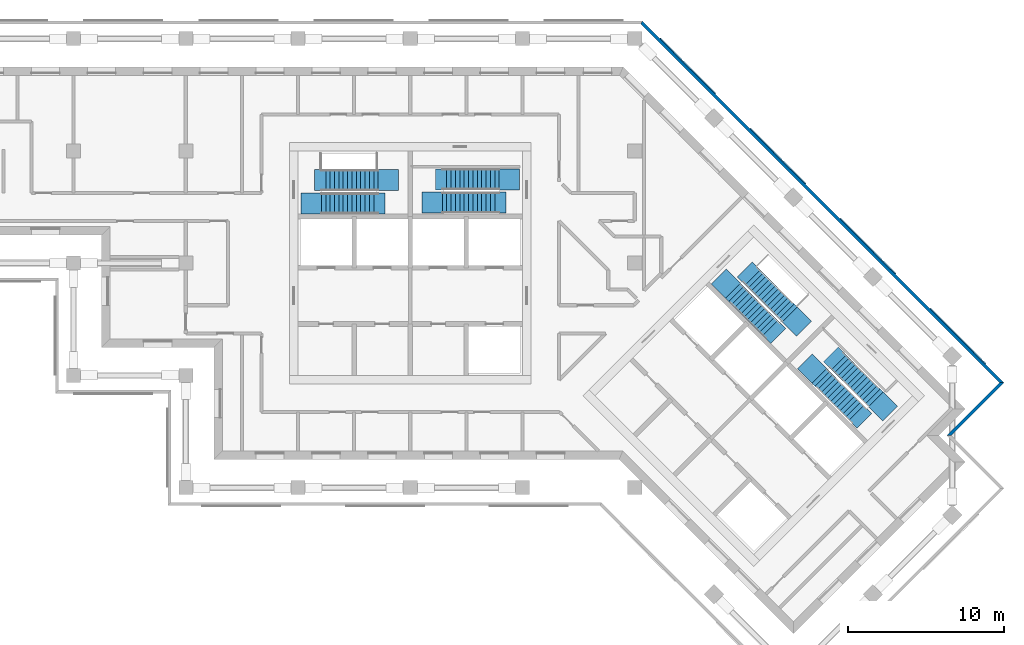
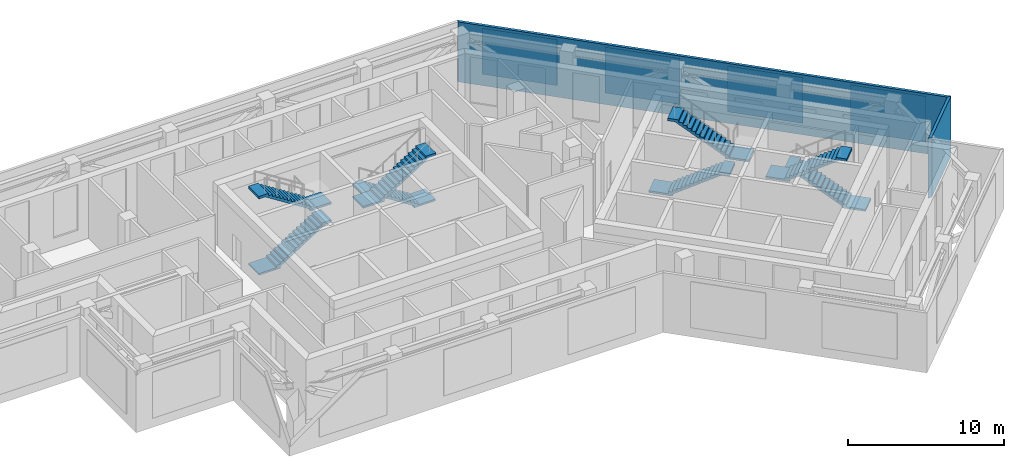
# One storey, part 8 of 10: 8 stair flights, 4 plates, 2 walls, 4 elements without a shape of their own.
"""IFC4 building model written with IfcOpenShell, lengths in metres."""

from ifc_helpers import new_model, si_unit, direction, frame, origin, place, context, subcontext, project, spatial, polyline, outline, extrude, material, layer, layer_set, type_object, element, aggregate, save


model = new_model("IFC4")

# Units and contexts
model_context = context("Model", 3, precision=1e-05, world=origin(), true_north=direction((0.0, 1.0)))
body_context = subcontext(model_context, "Body", "Model", "MODEL_VIEW")
ifc_project = project(units=[si_unit("LENGTHUNIT", "METRE"), si_unit("AREAUNIT", "SQUARE_METRE"), si_unit("VOLUMEUNIT", "CUBIC_METRE"), si_unit("PLANEANGLEUNIT", "RADIAN"), si_unit("MASSUNIT", "GRAM", prefix="KILO")], contexts=[model_context])

# Plate
ifc_material_1 = material(Name="Aluminium louvre", Category="aluminium")
ifc_layer_1 = layer(ifc_material_1, 0.05)
ifc_layer_set_1 = layer_set([ifc_layer_1], Name="Belt louvre panel 5000x3600")
plate_type = type_object("IfcPlateType", Name="Belt louvre panel 5000x3600", PredefinedType="SHEET", material=ifc_layer_set_1)
site_placement = place(None, origin())
building_placement = place(site_placement, origin())
storey_placement = place(building_placement, frame((0.0, 0.0, 180.4)))
plate_1_placement = place(storey_placement, frame((101.7315, 51.1655, 0.75), z_axis=(0.7071167811, 0.7070967812, 0.0), x_axis=(-0.7070967812, 0.7071167811, 0.0)))
plate_1 = element("IfcPlate", 1, at=plate_1_placement, type_object=plate_type, Name="Belt louvre panel L49 10.1", PredefinedType="SHEET", context=body_context, shape_type="SweptSolid", body=[
    extrude(outline(polyline([(0.0, 0.0), (5.0, 0.0), (5.0, 3.6), (0.0, 3.6), (0.0, 0.0)])), origin(), (0.0, 0.0, -1.0), 0.05),
])

plate_2_placement = place(storey_placement, frame((95.9536, 56.9434, 0.75), z_axis=(0.7071167811, 0.7070967812, 0.0), x_axis=(-0.7070967812, 0.7071167811, 0.0)))
plate_2 = element("IfcPlate", 2, at=plate_2_placement, type_object=plate_type, Name="Belt louvre panel L49 11.2", PredefinedType="SHEET", context=body_context, shape_type="SweptSolid", body=[
    extrude(outline(polyline([(0.0, 0.0), (5.0, 0.0), (5.0, 3.6), (0.0, 3.6), (0.0, 0.0)])), origin(), (0.0, 0.0, -1.0), 0.05),
])

plate_3_placement = place(storey_placement, frame((90.1756, 62.7214, 0.75), z_axis=(0.7071067812, 0.7071067812, 0.0), x_axis=(-0.7071067812, 0.7071067812, 0.0)))
plate_3 = element("IfcPlate", 3, at=plate_3_placement, type_object=plate_type, Name="Belt louvre panel L49 12.3", PredefinedType="SHEET", context=body_context, shape_type="SweptSolid", body=[
    extrude(outline(polyline([(0.0, 0.0), (5.0, 0.0), (5.0, 3.6), (0.0, 3.6), (0.0, 0.0)])), origin(), (0.0, 0.0, -1.0), 0.05),
])

plate_4_placement = place(storey_placement, frame((84.3977, 68.4993, 0.75), z_axis=(0.7071167811, 0.7070967812, 0.0), x_axis=(-0.7070967812, 0.7071167811, 0.0)))
plate_4 = element("IfcPlate", 4, at=plate_4_placement, type_object=plate_type, Name="Belt louvre panel L49 13.4", PredefinedType="SHEET", context=body_context, shape_type="SweptSolid", body=[
    extrude(outline(polyline([(0.0, 0.0), (5.0, 0.0), (5.0, 3.6), (0.0, 3.6), (0.0, 0.0)])), origin(), (0.0, 0.0, -1.0), 0.05),
])

# Site, building, storey
site = spatial("IfcSite", under=ifc_project, at=site_placement, CompositionType="ELEMENT")
building = spatial("IfcBuilding", under=site, at=building_placement, Name="Windrow Commons", CompositionType="ELEMENT")
storey = spatial("IfcBuildingStorey", under=building, at=storey_placement, Name="L49", CompositionType="ELEMENT", Elevation=180.4)

# Wall
ifc_material_2 = material(Name="Concrete C40/50 precast screen panel", Category="concrete")
ifc_layer_2 = layer(ifc_material_2, 0.2)
ifc_layer_set_2 = layer_set([ifc_layer_2], Name="Belt screen wall 200")
wall_type = type_object("IfcWallType", Name="Belt screen wall 200", PredefinedType="SOLIDWALL", material=ifc_layer_set_2)
wall_1_placement = place(storey_placement, frame((99.3525, 46.5442, 0.0), z_axis=(0.0, 0.0, 1.0), x_axis=(0.7071171977, 0.7070963646, 0.0)))
element("IfcWall", 5, at=wall_1_placement, inside=storey, type_object=wall_type, Name="Belt screen wall L49 4", PredefinedType="SOLIDWALL", context=body_context, shape_type="SweptSolid", body=[
    extrude(outline(polyline([(0.1, -0.1), (4.9, -0.1), (4.7, 0.1), (-0.1, 0.1), (0.1, -0.1)])), origin(), (0.0, 0.0, 1.0), 4.7),
])

wall_2_placement = place(storey_placement, frame((102.7467, 49.9383, 0.0), z_axis=(0.0, 0.0, 1.0), x_axis=(-0.7071083109, 0.7071052514, 0.0)))
wall_2 = element("IfcWall", 6, at=wall_2_placement, inside=storey, type_object=wall_type, Name="Belt screen wall L49 10", PredefinedType="SOLIDWALL", context=body_context, shape_type="SweptSolid", body=[
    extrude(outline(polyline([(-0.1, -0.1), (32.7263, -0.1), (32.6435, 0.1), (0.1, 0.1), (-0.1, -0.1)])), origin(), (0.0, 0.0, 1.0), 4.7),
])

aggregate(wall_2, [plate_1, plate_2, plate_3, plate_4])

# Stair, stair flights
ifc_material_3 = material(Name="Concrete C40/50", Category="concrete")
stair_type = type_object("IfcStairType", Name="Core stair", PredefinedType="HALF_TURN_STAIR", material=ifc_material_3)
placement = place(storey_placement, origin())
stair_1 = element("IfcStair", 7, at=placement, inside=storey, type_object=stair_type, Name="L49 Exit stair A1 core A", PredefinedType="HALF_TURN_STAIR")
ifc_material_4 = material(Name="Concrete C40/50", Category="concrete")
stair_flight_type = type_object("IfcStairFlightType", Name="Core stair flight", PredefinedType="STRAIGHT", material=ifc_material_4)
stair_flight_1_placement = place(storey_placement, frame((59.1, 61.425, 0.0), z_axis=(0.0, 0.0, 1.0), x_axis=(1.0, 0.0, 0.0)))
stair_flight_1 = element("IfcStairFlight", 8, at=stair_flight_1_placement, type_object=stair_flight_type, Name="ST-A1 flight 1", NumberOfRisers=14, NumberOfTreads=13, PredefinedType="STRAIGHT", RiserHeight=0.178571429, TreadLength=0.28, context=body_context, shape_type="SweptSolid", body=[
    extrude(outline(polyline([(-1.3, -0.15), (-1.3, 0.0), (0.0, 0.0), (0.0, 0.1786), (0.28, 0.1786), (0.28, 0.3571), (0.56, 0.3571), (0.56, 0.5357), (0.84, 0.5357), (0.84, 0.7143), (1.12, 0.7143), (1.12, 0.8929), (1.4, 0.8929), (1.4, 1.0714), (1.68, 1.0714), (1.68, 1.25), (1.96, 1.25), (1.96, 1.4286), (2.24, 1.4286), (2.24, 1.6071), (2.52, 1.6071), (2.52, 1.7857), (2.8, 1.7857), (2.8, 1.9643), (3.08, 1.9643), (3.08, 2.1429), (3.36, 2.1429), (3.36, 2.3214), (3.64, 2.3214), (4.09, 2.3214), (4.09, 2.1214), (3.64, 2.1214), (3.64, 2.1435), (0.279, 0.0), (0.279, -0.15), (-1.3, -0.15)])), frame((0.0, 0.675, 0.0), z_axis=(0.0, -1.0, 0.0), x_axis=(1.0, 0.0, 0.0)), (0.0, 0.0, 1.0), 1.35),
])
stair_flight_2_placement = place(storey_placement, frame((62.74, 62.925, 2.5), z_axis=(0.0, 0.0, 1.0), x_axis=(-1.0, 0.0, 0.0)))
stair_flight_2 = element("IfcStairFlight", 9, at=stair_flight_2_placement, type_object=stair_flight_type, Name="ST-A1 flight 2", NumberOfRisers=14, NumberOfTreads=13, PredefinedType="STRAIGHT", RiserHeight=0.178571429, TreadLength=0.28, context=body_context, shape_type="SweptSolid", body=[
    extrude(outline(polyline([(-1.3, -0.15), (-1.3, 0.0), (0.0, 0.0), (0.0, 0.1786), (0.28, 0.1786), (0.28, 0.3571), (0.56, 0.3571), (0.56, 0.5357), (0.84, 0.5357), (0.84, 0.7143), (1.12, 0.7143), (1.12, 0.8929), (1.4, 0.8929), (1.4, 1.0714), (1.68, 1.0714), (1.68, 1.25), (1.96, 1.25), (1.96, 1.4286), (2.24, 1.4286), (2.24, 1.6071), (2.52, 1.6071), (2.52, 1.7857), (2.8, 1.7857), (2.8, 1.9643), (3.08, 1.9643), (3.08, 2.1429), (3.36, 2.1429), (3.36, 2.3214), (3.64, 2.3214), (4.09, 2.3214), (4.09, 2.1214), (3.64, 2.1214), (3.64, 2.1435), (0.279, 0.0), (0.279, -0.15), (-1.3, -0.15)])), frame((0.0, 0.675, 0.0), z_axis=(0.0, -1.0, 0.0), x_axis=(1.0, 0.0, 0.0)), (0.0, 0.0, 1.0), 1.35),
])
aggregate(stair_1, [stair_flight_1, stair_flight_2])

stair_2 = element("IfcStair", 10, at=placement, inside=storey, type_object=stair_type, Name="L49 Exit stair A2 core A", PredefinedType="HALF_TURN_STAIR")
stair_flight_3_placement = place(storey_placement, frame((70.5, 62.98, 0.0), z_axis=(0.0, 0.0, 1.0), x_axis=(-1.0, 0.0, 0.0)))
stair_flight_3 = element("IfcStairFlight", 11, at=stair_flight_3_placement, type_object=stair_flight_type, Name="ST-A2 flight 1", NumberOfRisers=14, NumberOfTreads=13, PredefinedType="STRAIGHT", RiserHeight=0.178571429, TreadLength=0.28, context=body_context, shape_type="SweptSolid", body=[
    extrude(outline(polyline([(-1.3, -0.15), (-1.3, 0.0), (0.0, 0.0), (0.0, 0.1786), (0.28, 0.1786), (0.28, 0.3571), (0.56, 0.3571), (0.56, 0.5357), (0.84, 0.5357), (0.84, 0.7143), (1.12, 0.7143), (1.12, 0.8929), (1.4, 0.8929), (1.4, 1.0714), (1.68, 1.0714), (1.68, 1.25), (1.96, 1.25), (1.96, 1.4286), (2.24, 1.4286), (2.24, 1.6071), (2.52, 1.6071), (2.52, 1.7857), (2.8, 1.7857), (2.8, 1.9643), (3.08, 1.9643), (3.08, 2.1429), (3.36, 2.1429), (3.36, 2.3214), (3.64, 2.3214), (4.09, 2.3214), (4.09, 2.1214), (3.64, 2.1214), (3.64, 2.1435), (0.279, 0.0), (0.279, -0.15), (-1.3, -0.15)])), frame((0.0, 0.675, 0.0), z_axis=(0.0, -1.0, 0.0), x_axis=(1.0, 0.0, 0.0)), (0.0, 0.0, 1.0), 1.35),
])
stair_flight_4_placement = place(storey_placement, frame((66.86, 61.48, 2.5), z_axis=(0.0, 0.0, 1.0), x_axis=(1.0, 0.0, 0.0)))
stair_flight_4 = element("IfcStairFlight", 12, at=stair_flight_4_placement, type_object=stair_flight_type, Name="ST-A2 flight 2", NumberOfRisers=14, NumberOfTreads=13, PredefinedType="STRAIGHT", RiserHeight=0.178571429, TreadLength=0.28, context=body_context, shape_type="SweptSolid", body=[
    extrude(outline(polyline([(-1.3, -0.15), (-1.3, 0.0), (0.0, 0.0), (0.0, 0.1786), (0.28, 0.1786), (0.28, 0.3571), (0.56, 0.3571), (0.56, 0.5357), (0.84, 0.5357), (0.84, 0.7143), (1.12, 0.7143), (1.12, 0.8929), (1.4, 0.8929), (1.4, 1.0714), (1.68, 1.0714), (1.68, 1.25), (1.96, 1.25), (1.96, 1.4286), (2.24, 1.4286), (2.24, 1.6071), (2.52, 1.6071), (2.52, 1.7857), (2.8, 1.7857), (2.8, 1.9643), (3.08, 1.9643), (3.08, 2.1429), (3.36, 2.1429), (3.36, 2.3214), (3.64, 2.3214), (4.09, 2.3214), (4.09, 2.1214), (3.64, 2.1214), (3.64, 2.1435), (0.279, 0.0), (0.279, -0.15), (-1.3, -0.15)])), frame((0.0, 0.675, 0.0), z_axis=(0.0, -1.0, 0.0), x_axis=(1.0, 0.0, 0.0)), (0.0, 0.0, 1.0), 1.35),
])
aggregate(stair_2, [stair_flight_3, stair_flight_4])

stair_3 = element("IfcStair", 13, at=placement, inside=storey, type_object=stair_type, Name="L49 Exit stair B1 core B", PredefinedType="HALF_TURN_STAIR")
stair_flight_5_placement = place(storey_placement, frame((85.5109, 55.8249, 0.0), z_axis=(0.0, 0.0, 1.0), x_axis=(0.7071067812, -0.7071067812, 0.0)))
stair_flight_5 = element("IfcStairFlight", 14, at=stair_flight_5_placement, type_object=stair_flight_type, Name="ST-B1 flight 1", NumberOfRisers=14, NumberOfTreads=13, PredefinedType="STRAIGHT", RiserHeight=0.178571429, TreadLength=0.28, context=body_context, shape_type="SweptSolid", body=[
    extrude(outline(polyline([(-1.3, -0.15), (-1.3, 0.0), (0.0, 0.0), (0.0, 0.1786), (0.28, 0.1786), (0.28, 0.3571), (0.56, 0.3571), (0.56, 0.5357), (0.84, 0.5357), (0.84, 0.7143), (1.12, 0.7143), (1.12, 0.8929), (1.4, 0.8929), (1.4, 1.0714), (1.68, 1.0714), (1.68, 1.25), (1.96, 1.25), (1.96, 1.4286), (2.24, 1.4286), (2.24, 1.6071), (2.52, 1.6071), (2.52, 1.7857), (2.8, 1.7857), (2.8, 1.9643), (3.08, 1.9643), (3.08, 2.1429), (3.36, 2.1429), (3.36, 2.3214), (3.64, 2.3214), (4.09, 2.3214), (4.09, 2.1214), (3.64, 2.1214), (3.64, 2.1435), (0.279, 0.0), (0.279, -0.15), (-1.3, -0.15)])), frame((0.0, 0.675, 0.0), z_axis=(0.0, -1.0, 0.0), x_axis=(1.0, 0.0, 0.0)), (0.0, 0.0, 1.0), 1.35),
])
stair_flight_6_placement = place(storey_placement, frame((89.1455, 54.3117, 2.5), z_axis=(0.0, 0.0, 1.0), x_axis=(-0.7071067812, 0.7071067812, 0.0)))
stair_flight_6 = element("IfcStairFlight", 15, at=stair_flight_6_placement, type_object=stair_flight_type, Name="ST-B1 flight 2", NumberOfRisers=14, NumberOfTreads=13, PredefinedType="STRAIGHT", RiserHeight=0.178571429, TreadLength=0.28, context=body_context, shape_type="SweptSolid", body=[
    extrude(outline(polyline([(-1.3, -0.15), (-1.3, 0.0), (0.0, 0.0), (0.0, 0.1786), (0.28, 0.1786), (0.28, 0.3571), (0.56, 0.3571), (0.56, 0.5357), (0.84, 0.5357), (0.84, 0.7143), (1.12, 0.7143), (1.12, 0.8929), (1.4, 0.8929), (1.4, 1.0714), (1.68, 1.0714), (1.68, 1.25), (1.96, 1.25), (1.96, 1.4286), (2.24, 1.4286), (2.24, 1.6071), (2.52, 1.6071), (2.52, 1.7857), (2.8, 1.7857), (2.8, 1.9643), (3.08, 1.9643), (3.08, 2.1429), (3.36, 2.1429), (3.36, 2.3214), (3.64, 2.3214), (4.09, 2.3214), (4.09, 2.1214), (3.64, 2.1214), (3.64, 2.1435), (0.279, 0.0), (0.279, -0.15), (-1.3, -0.15)])), frame((0.0, 0.675, 0.0), z_axis=(0.0, -1.0, 0.0), x_axis=(1.0, 0.0, 0.0)), (0.0, 0.0, 1.0), 1.35),
])
aggregate(stair_3, [stair_flight_5, stair_flight_6])

stair_4 = element("IfcStair", 16, at=placement, inside=storey, type_object=stair_type, Name="L49 Exit stair B2 core B", PredefinedType="HALF_TURN_STAIR")
stair_flight_7_placement = place(storey_placement, frame((94.6715, 48.8635, 0.0), z_axis=(0.0, 0.0, 1.0), x_axis=(-0.7071067812, 0.7071067812, 0.0)))
stair_flight_7 = element("IfcStairFlight", 17, at=stair_flight_7_placement, type_object=stair_flight_type, Name="ST-B2 flight 1", NumberOfRisers=14, NumberOfTreads=13, PredefinedType="STRAIGHT", RiserHeight=0.178571429, TreadLength=0.28, context=body_context, shape_type="SweptSolid", body=[
    extrude(outline(polyline([(-1.3, -0.15), (-1.3, 0.0), (0.0, 0.0), (0.0, 0.1786), (0.28, 0.1786), (0.28, 0.3571), (0.56, 0.3571), (0.56, 0.5357), (0.84, 0.5357), (0.84, 0.7143), (1.12, 0.7143), (1.12, 0.8929), (1.4, 0.8929), (1.4, 1.0714), (1.68, 1.0714), (1.68, 1.25), (1.96, 1.25), (1.96, 1.4286), (2.24, 1.4286), (2.24, 1.6071), (2.52, 1.6071), (2.52, 1.7857), (2.8, 1.7857), (2.8, 1.9643), (3.08, 1.9643), (3.08, 2.1429), (3.36, 2.1429), (3.36, 2.3214), (3.64, 2.3214), (4.09, 2.3214), (4.09, 2.1214), (3.64, 2.1214), (3.64, 2.1435), (0.279, 0.0), (0.279, -0.15), (-1.3, -0.15)])), frame((0.0, 0.675, 0.0), z_axis=(0.0, -1.0, 0.0), x_axis=(1.0, 0.0, 0.0)), (0.0, 0.0, 1.0), 1.35),
])
stair_flight_8_placement = place(storey_placement, frame((91.037, 50.3767, 2.5), z_axis=(0.0, 0.0, 1.0), x_axis=(0.7071067812, -0.7071067812, 0.0)))
stair_flight_8 = element("IfcStairFlight", 18, at=stair_flight_8_placement, type_object=stair_flight_type, Name="ST-B2 flight 2", NumberOfRisers=14, NumberOfTreads=13, PredefinedType="STRAIGHT", RiserHeight=0.178571429, TreadLength=0.28, context=body_context, shape_type="SweptSolid", body=[
    extrude(outline(polyline([(-1.3, -0.15), (-1.3, 0.0), (0.0, 0.0), (0.0, 0.1786), (0.28, 0.1786), (0.28, 0.3571), (0.56, 0.3571), (0.56, 0.5357), (0.84, 0.5357), (0.84, 0.7143), (1.12, 0.7143), (1.12, 0.8929), (1.4, 0.8929), (1.4, 1.0714), (1.68, 1.0714), (1.68, 1.25), (1.96, 1.25), (1.96, 1.4286), (2.24, 1.4286), (2.24, 1.6071), (2.52, 1.6071), (2.52, 1.7857), (2.8, 1.7857), (2.8, 1.9643), (3.08, 1.9643), (3.08, 2.1429), (3.36, 2.1429), (3.36, 2.3214), (3.64, 2.3214), (4.09, 2.3214), (4.09, 2.1214), (3.64, 2.1214), (3.64, 2.1435), (0.279, 0.0), (0.279, -0.15), (-1.3, -0.15)])), frame((0.0, 0.675, 0.0), z_axis=(0.0, -1.0, 0.0), x_axis=(1.0, 0.0, 0.0)), (0.0, 0.0, 1.0), 1.35),
])
aggregate(stair_4, [stair_flight_7, stair_flight_8])

save(model, "model.ifc")
